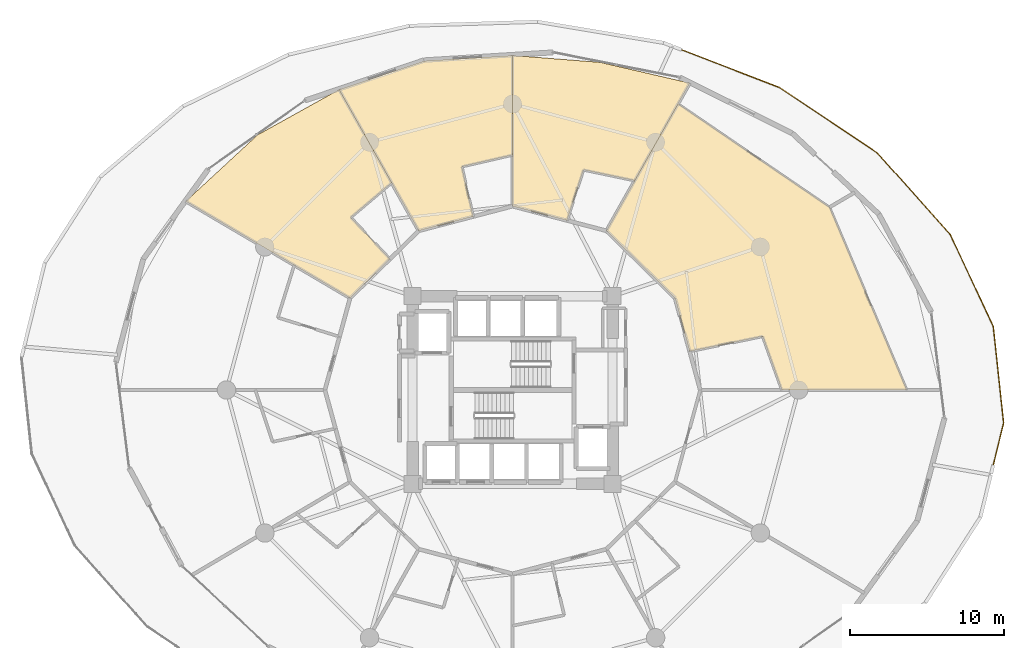
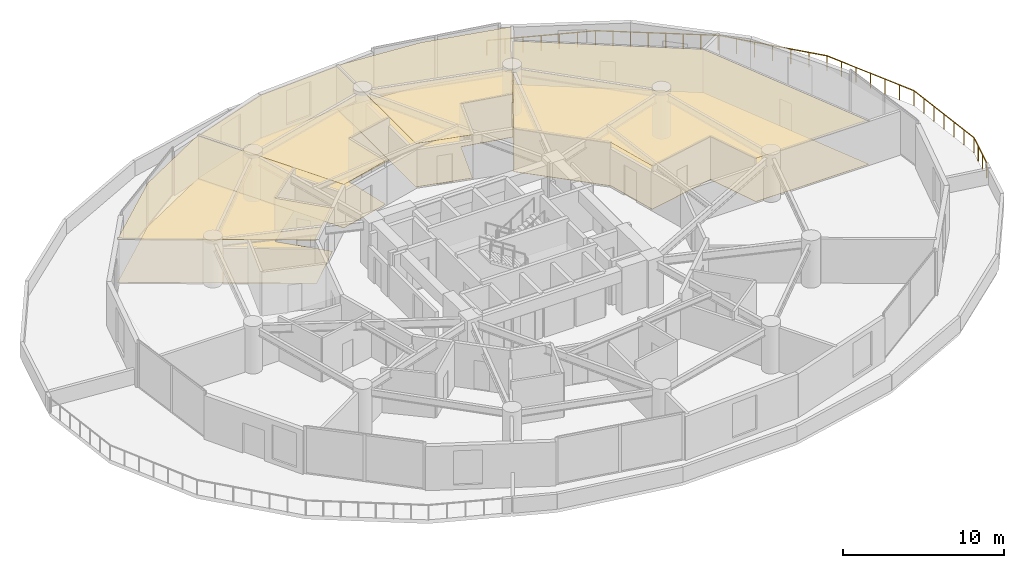
# One storey, part 25 of 25: 8 coverings, 1 railing.
"""IFC4 building model written with IfcOpenShell, lengths in metres."""

import ifcopenshell
import ifcopenshell.guid

model = None  # the IFC model being written
_history = None  # IfcOwnerHistory: only IFC2X3 demands one
_inside = {}  # id of a spatial element -> (the spatial element, [elements in it])
_under = {}  # id of a project, library or spatial element -> (it, [spatial elements below it])
_declared = {}  # id of a project -> (the project, [libraries it declares])
_typed = {}  # id of a type object -> (the type object, [elements of that type])
_made_of = {}  # id of a material, layer set ... -> (it, [elements and type objects made of it])


def new_model(schema):
    """Start an empty IFC model of exactly this schema.

    Asked for "IFC4X3", IfcOpenShell would pick the latest addendum, in which some entities
    have other attributes; the version numbers below select the first issue.
    IFC2X3 requires an IfcOwnerHistory on every rooted entity: one is made here for all.
    """
    global model, _history
    if schema == "IFC4X3":
        model = ifcopenshell.file(schema_version=(4, 3, 0, 0))
    else:
        model = ifcopenshell.file(schema=schema)
    _inside.clear()
    _under.clear()
    _declared.clear()
    _typed.clear()
    _made_of.clear()
    _history = None
    if model.schema == "IFC2X3":
        org = make("IfcOrganization", Name="unknown")
        user = make(
            "IfcPersonAndOrganization",
            ThePerson=make("IfcPerson", FamilyName="unknown"),
            TheOrganization=org,
        )
        app = make(
            "IfcApplication",
            ApplicationDeveloper=org,
            Version="unknown",
            ApplicationFullName="unknown",
            ApplicationIdentifier="unknown",
        )
        _history = make(
            "IfcOwnerHistory",
            OwningUser=user,
            OwningApplication=app,
            ChangeAction="ADDED",
            CreationDate=0,
        )
    return model


def make(cls, **values):
    """One entity of the class cls with the attributes given. An attribute that is None is left unset."""
    return model.create_entity(
        cls, **{name: value for name, value in values.items() if value is not None}
    )


def rooted(cls, **values):
    """An entity with a GlobalId (a new one), such as an element, a storey or a relation."""
    return make(cls, GlobalId=ifcopenshell.guid.new(), OwnerHistory=_history, **values)


def si_unit(unit_type, name, prefix=None):
    """IfcSIUnit, for example si_unit("LENGTHUNIT", "METRE", prefix="MILLI")."""
    return make("IfcSIUnit", UnitType=unit_type, Prefix=prefix, Name=name)


def assignment(units):
    """IfcUnitAssignment: the units of a project."""
    return None if units is None else make("IfcUnitAssignment", Units=units)


def point(xyz):
    """IfcCartesianPoint."""
    return None if xyz is None else make("IfcCartesianPoint", Coordinates=xyz)


def direction(xyz):
    """IfcDirection."""
    return None if xyz is None else make("IfcDirection", DirectionRatios=xyz)


def frame(location, z_axis=None, x_axis=None):
    """IfcAxis2Placement3D, a coordinate frame: its origin and axes. An axis left out is left unset."""
    return make(
        "IfcAxis2Placement3D",
        Location=point(location),
        Axis=direction(z_axis),
        RefDirection=direction(x_axis),
    )


def frame_2d(location, x_axis=None):
    """IfcAxis2Placement2D, a coordinate frame in the plane: its origin and x axis."""
    return make(
        "IfcAxis2Placement2D", Location=point(location), RefDirection=direction(x_axis)
    )


def origin():
    """The frame at (0, 0, 0) with its axes left unset."""
    return frame((0.0, 0.0, 0.0))


def origin_2d():
    """The frame at (0, 0) in the plane with its x axis left unset."""
    return frame_2d((0.0, 0.0))


def place(relative_to, where):
    """IfcLocalPlacement: puts the frame where relative to a parent placement (None: the world)."""
    return make(
        "IfcLocalPlacement", PlacementRelTo=relative_to, RelativePlacement=where
    )


def context(
    kind, dimensions, precision=None, world=None, true_north=None, identifier=None
):
    """IfcGeometricRepresentationContext, for example the 3D "Model" context."""
    return make(
        "IfcGeometricRepresentationContext",
        ContextIdentifier=identifier,
        ContextType=kind,
        CoordinateSpaceDimension=dimensions,
        Precision=precision,
        WorldCoordinateSystem=world,
        TrueNorth=true_north,
    )


def subcontext(parent, identifier, kind, view, scale=None):
    """IfcGeometricRepresentationSubContext, for example "Body" below "Model"."""
    return make(
        "IfcGeometricRepresentationSubContext",
        ContextIdentifier=identifier,
        ContextType=kind,
        ParentContext=parent,
        TargetScale=scale,
        TargetView=view,
    )


def project(units=None, contexts=None):
    """IfcProject with its units and contexts."""
    return rooted(
        "IfcProject",
        Name="project",
        RepresentationContexts=contexts,
        UnitsInContext=assignment(units),
    )


def spatial(cls, under=None, at=None, **own):
    """A site, building, storey or space (cls), placed at a placement, below another one or the project."""
    s = rooted(cls, ObjectPlacement=at, **own)
    if under is not None:
        _under.setdefault(under.id(), (under, []))[1].append(s)
    return s


def polyline(points):
    """IfcPolyline through the points."""
    return make("IfcPolyline", Points=[point(p) for p in points])


def profile(cls, at=None, kind="AREA", **sizes):
    """A parametric profile (cls). Its sizes go by their IFC names, for example OverallWidth=200.0."""
    return make(cls, ProfileType=kind, Position=at, **sizes)


def circle(**sizes):
    """IfcCircleProfileDef."""
    return profile("IfcCircleProfileDef", **sizes)


def outline(outer, holes=None, kind="AREA"):
    """IfcArbitraryClosedProfileDef: a profile drawn as a closed curve; with holes, ...WithVoids."""
    if holes is None:
        return make("IfcArbitraryClosedProfileDef", ProfileType=kind, OuterCurve=outer)
    return make(
        "IfcArbitraryProfileDefWithVoids",
        ProfileType=kind,
        OuterCurve=outer,
        InnerCurves=holes,
    )


def extrude(swept, where, along, depth):
    """IfcExtrudedAreaSolid: the profile swept, set in the frame where, extruded along a direction by depth."""
    return make(
        "IfcExtrudedAreaSolid",
        SweptArea=swept,
        Position=where,
        ExtrudedDirection=direction(along),
        Depth=depth,
    )


def shape(context_of_items, identifier, shape_type, items):
    """IfcShapeRepresentation: the items that make up one representation, for example the "Body"."""
    return make(
        "IfcShapeRepresentation",
        ContextOfItems=context_of_items,
        RepresentationIdentifier=identifier,
        RepresentationType=shape_type,
        Items=items,
    )


def material(Name=None, Category=None):
    """IfcMaterial."""
    return make("IfcMaterial", Name=Name, Category=Category)


def layer(
    of_material, thickness, ventilated=None, Name=None, Category=None, Priority=None
):
    """IfcMaterialLayer: one layer of a wall or slab, of a material (None: an air gap)."""
    return make(
        "IfcMaterialLayer",
        Material=of_material,
        LayerThickness=thickness,
        IsVentilated=ventilated,
        Name=Name,
        Category=Category,
        Priority=Priority,
    )


def layer_set(layers, Name=None):
    """IfcMaterialLayerSet."""
    return make("IfcMaterialLayerSet", MaterialLayers=layers, LayerSetName=Name)


def made_of(thing, what):
    """Note that an element or type object is made of a material, layer set ...; save() writes the relation."""
    if what is not None:
        _made_of.setdefault(what.id(), (what, []))[1].append(thing)
    return thing


def type_object(cls, material=None, **own):
    """A type object (cls), such as IfcWallType, which elements share."""
    return made_of(rooted(cls, **own), material)


def element(
    cls,
    number,
    at=None,
    inside=None,
    cuts=None,
    type_object=None,
    material=None,
    context=None,
    identifier="Body",
    shape_type=None,
    held_by="IfcProductDefinitionShape",
    body=None,
    shapes=None,
    **own,
):
    """One element of the class cls, such as IfcWall. Its Tag is "e" and its number.

    at: its placement. inside: the storey or other place that contains it. cuts: it is an
    opening in that element (IfcRelVoidsElement). A single representation is given by context,
    identifier, shape_type and body (its items); several are given by shapes. held_by: the class
    of the entity that holds the representations. save() writes the other relations.
    """
    e = rooted(cls, Tag="e%d" % number, ObjectPlacement=at, **own)
    if body is not None:
        shapes = [shape(context, identifier, shape_type, body)]
    if shapes is not None:
        e.Representation = make(held_by, Representations=shapes)
    if inside is not None:
        _inside.setdefault(inside.id(), (inside, []))[1].append(e)
    if cuts is not None:
        rooted(
            "IfcRelVoidsElement", RelatingBuildingElement=cuts, RelatedOpeningElement=e
        )
    if type_object is not None:
        _typed.setdefault(type_object.id(), (type_object, []))[1].append(e)
    return made_of(e, material)


def aggregate(whole, parts):
    """IfcRelAggregates: a whole, such as a stair, and the parts it consists of."""
    return rooted("IfcRelAggregates", RelatingObject=whole, RelatedObjects=parts)


def save(model, path):
    """Write the relations noted so far, then the file.

    IfcRelAggregates (storeys below a building ...), IfcRelContainedInSpatialStructure (elements
    in a storey), IfcRelDefinesByType, IfcRelAssociatesMaterial and IfcRelDeclares: one each for
    every whole, place, type object, material and project.
    """
    for whole, parts in _under.values():
        aggregate(whole, parts)
    for where, things in _inside.values():
        rooted(
            "IfcRelContainedInSpatialStructure",
            RelatedElements=things,
            RelatingStructure=where,
        )
    for kind, things in _typed.values():
        rooted("IfcRelDefinesByType", RelatedObjects=things, RelatingType=kind)
    for what, things in _made_of.values():
        rooted("IfcRelAssociatesMaterial", RelatedObjects=things, RelatingMaterial=what)
    for by, libraries in _declared.values():
        rooted("IfcRelDeclares", RelatingContext=by, RelatedDefinitions=libraries)
    model.write(path)


model = new_model("IFC4")

# Units and contexts
model_context = context("Model", 3, precision=1e-05, world=origin(), true_north=direction((0.0, 1.0)))
body_context = subcontext(model_context, "Body", "Model", "MODEL_VIEW")
ifc_project = project(units=[si_unit("LENGTHUNIT", "METRE"), si_unit("AREAUNIT", "SQUARE_METRE"), si_unit("VOLUMEUNIT", "CUBIC_METRE"), si_unit("PLANEANGLEUNIT", "RADIAN"), si_unit("MASSUNIT", "GRAM", prefix="KILO")], contexts=[model_context])

# Site, building, storey
site_placement = place(None, origin())
site = spatial("IfcSite", under=ifc_project, at=site_placement, CompositionType="ELEMENT")
building_placement = place(site_placement, origin())
building = spatial("IfcBuilding", under=site, at=building_placement, Name="Solvirekh Grand Hotel", CompositionType="ELEMENT")
storey_placement = place(building_placement, frame((0.0, 0.0, 28.39990234375)))
storey = spatial("IfcBuildingStorey", under=building, at=storey_placement, Name="L05", CompositionType="ELEMENT", Elevation=28.39990234375)

# Coverings
ifc_material_1 = material(Name="Acoustic Mineral Ceiling Tile")
ifc_layer_1 = layer(ifc_material_1, 0.02490234375)
ifc_layer_set_1 = layer_set([ifc_layer_1], Name="Acoustic Mineral Ceiling Tile")
covering_type_1 = type_object("IfcCoveringType", Name="Cov_Ceiling_Acoustic", PredefinedType="CEILING", material=ifc_layer_set_1)
covering_1_placement = place(storey_placement, frame((0.0, 0.0, 3.2900390625)))
element("IfcCovering", 1, at=covering_1_placement, inside=storey, type_object=covering_type_1, Name="L05 Executive Suite 0701 Living Room acoustic ceiling", PredefinedType="CEILING", context=body_context, shape_type="SweptSolid", body=[
    extrude(outline(polyline([(16.262939453125, 3.489990234375), (17.510986328125, 0.0), (25.635009765625, 0.0), (20.613037109375, 11.883056640625), (10.760986328125, 18.60888671875), (6.10009765625, 10.34912109375), (10.56591796875, 5.97509765625), (11.513916015625, 2.509033203125), (16.262939453125, 3.489990234375)])), origin(), (0.0, 0.0, 1.0), 0.01806640625),
])
covering_2_placement = place(storey_placement, frame((0.0, 0.0, 3.2900390625)))
element("IfcCovering", 2, at=covering_2_placement, inside=storey, type_object=covering_type_1, Name="L05 Deluxe Guestroom 0702 acoustic ceiling", PredefinedType="CEILING", context=body_context, shape_type="SweptSolid", body=[
    extrude(outline(polyline([(4.60693359375, 14.31494140625), (7.943115234375, 13.614990234375), (11.52001953125, 19.9541015625), (5.70703125, 21.300048828125), (0.0, 21.75), (0.0, 11.949951171875), (3.5380859375, 11.02099609375), (4.60693359375, 14.31494140625)])), origin(), (0.0, 0.0, 1.0), 0.01806640625),
])
covering_3_placement = place(storey_placement, frame((0.0, 0.0, 3.2900390625)))
element("IfcCovering", 3, at=covering_3_placement, inside=storey, type_object=covering_type_1, Name="L05 Deluxe Guestroom 0703 acoustic ceiling", PredefinedType="CEILING", context=body_context, shape_type="SweptSolid", body=[
    extrude(outline(polyline([(-3.301025390625, 14.52197265625), (0.0, 15.281982421875), (0.0, 21.75), (-5.73388671875, 21.39794921875), (-11.27587890625, 19.530029296875), (-6.10009765625, 10.34912109375), (-2.56201171875, 11.278076171875), (-3.301025390625, 14.52197265625)])), origin(), (0.0, 0.0, 1.0), 0.01806640625),
])
covering_4_placement = place(storey_placement, frame((0.0, 0.0, 3.2900390625)))
element("IfcCovering", 4, at=covering_4_placement, inside=storey, type_object=covering_type_1, Name="L05 Deluxe Guestroom 0704 acoustic ceiling", PredefinedType="CEILING", context=body_context, shape_type="SweptSolid", body=[
    extrude(outline(polyline([(-10.52197265625, 11.220947265625), (-7.860107421875, 13.470947265625), (-11.27587890625, 19.530029296875), (-16.58203125, 16.58203125), (-21.24609375, 12.26611328125), (-10.56591796875, 5.97509765625), (-7.97607421875, 8.511962890625), (-10.52197265625, 11.220947265625)])), origin(), (0.0, 0.0, 1.0), 0.01806640625),
])
ifc_material_2 = material(Name="Porcelain Stoneware Flooring", Category="masonry")
ifc_layer_2 = layer(ifc_material_2, 0.030029296875)
ifc_layer_set_2 = layer_set([ifc_layer_2], Name="Porcelain Stoneware Flooring")
covering_type_2 = type_object("IfcCoveringType", Name="Cov_Floor_Stone", PredefinedType="FLOORING", material=ifc_layer_set_2)
covering_5_placement = place(storey_placement, origin())
element("IfcCovering", 5, at=covering_5_placement, inside=storey, type_object=covering_type_2, Name="L05 Executive Suite 0701 Living Room polished granite flooring", PredefinedType="FLOORING", context=body_context, shape_type="SweptSolid", body=[
    extrude(outline(polyline([(16.262939453125, 3.489990234375), (17.510986328125, 0.0), (25.635009765625, 0.0), (20.613037109375, 11.883056640625), (10.760986328125, 18.60888671875), (6.10009765625, 10.34912109375), (10.56591796875, 5.97509765625), (11.513916015625, 2.509033203125), (16.262939453125, 3.489990234375)])), origin(), (0.0, 0.0, 1.0), 0.02001953125),
])
covering_6_placement = place(storey_placement, origin())
element("IfcCovering", 6, at=covering_6_placement, inside=storey, type_object=covering_type_2, Name="L05 Deluxe Guestroom 0702 polished granite flooring", PredefinedType="FLOORING", context=body_context, shape_type="SweptSolid", body=[
    extrude(outline(polyline([(4.60693359375, 14.31494140625), (7.943115234375, 13.614990234375), (11.52001953125, 19.9541015625), (5.70703125, 21.300048828125), (0.0, 21.75), (0.0, 11.949951171875), (3.5380859375, 11.02099609375), (4.60693359375, 14.31494140625)])), origin(), (0.0, 0.0, 1.0), 0.02001953125),
])
covering_7_placement = place(storey_placement, origin())
element("IfcCovering", 7, at=covering_7_placement, inside=storey, type_object=covering_type_2, Name="L05 Deluxe Guestroom 0703 polished granite flooring", PredefinedType="FLOORING", context=body_context, shape_type="SweptSolid", body=[
    extrude(outline(polyline([(-3.301025390625, 14.52197265625), (0.0, 15.281982421875), (0.0, 21.75), (-5.73388671875, 21.39794921875), (-11.27587890625, 19.530029296875), (-6.10009765625, 10.34912109375), (-2.56201171875, 11.278076171875), (-3.301025390625, 14.52197265625)])), origin(), (0.0, 0.0, 1.0), 0.02001953125),
])
covering_8_placement = place(storey_placement, origin())
element("IfcCovering", 8, at=covering_8_placement, inside=storey, type_object=covering_type_2, Name="L05 Deluxe Guestroom 0704 polished granite flooring", PredefinedType="FLOORING", context=body_context, shape_type="SweptSolid", body=[
    extrude(outline(polyline([(-10.52197265625, 11.220947265625), (-7.860107421875, 13.470947265625), (-11.27587890625, 19.530029296875), (-16.58203125, 16.58203125), (-21.24609375, 12.26611328125), (-10.56591796875, 5.97509765625), (-7.97607421875, 8.511962890625), (-10.52197265625, 11.220947265625)])), origin(), (0.0, 0.0, 1.0), 0.02001953125),
])

# Railing
ifc_material_3 = material(Name="Anodized Bronze Aluminium 6063-T6", Category="aluminium")
railing_type = type_object("IfcRailingType", Name="Guard_ExtGlass_1150", PredefinedType="BALUSTRADE", material=ifc_material_3)
railing_placement = place(storey_placement, frame((31.248046875, -4.912109375, 0.0)))
element("IfcRailing", 9, at=railing_placement, inside=storey, type_object=railing_type, Name="L05 pod-east perimeter glass balustrade", PredefinedType="BALUSTRADE", context=body_context, shape_type="SweptSolid", body=[
    extrude(circle(Radius=0.02392578125, at=origin_2d()), frame((0.0, 0.0, 1.1259765625), z_axis=(0.238463816019, 0.97115138287, 0.0), x_axis=(-0.97115138287, 0.238463816019, 0.0)), (0.0, 0.0, 1.0), 2.851318359375),
    extrude(circle(Radius=0.02392578125, at=origin_2d()), frame((0.679931640625, 2.76904296875, 1.1259765625), z_axis=(-0.106530390003, 0.994309446805, 0.0), x_axis=(-0.994309446805, -0.106530390003, 0.0)), (0.0, 0.0, 1.0), 6.306884765625),
    extrude(circle(Radius=0.02392578125, at=origin_2d()), frame((0.008056640625, 9.0400390625, 1.1259765625), z_axis=(-0.423770618135, 0.905769541995, 0.0), x_axis=(-0.905769541995, -0.423770618135, 0.0)), (0.0, 0.0, 1.0), 6.612060546875),
    extrude(circle(Radius=0.02392578125, at=origin_2d()), frame((-2.7939453125, 15.029052734375, 1.1259765625), z_axis=(-0.666721597684, 0.745306857061, 0.0), x_axis=(-0.745306857061, -0.666721597684, 0.0)), (0.0, 0.0, 1.0), 7.111328125),
    extrude(circle(Radius=0.02392578125, at=origin_2d()), frame((-7.53515625, 20.3291015625, 1.1259765625), z_axis=(-0.831381626456, 0.555701890577, 0.0), x_axis=(-0.555701890577, -0.831381626456, 0.0)), (0.0, 0.0, 1.0), 7.646240234375),
    extrude(circle(Radius=0.02392578125, at=origin_2d()), frame((-13.89208984375, 24.578125, 1.1259765625), z_axis=(-0.932925862142, 0.360068515349, 0.0), x_axis=(-0.360068515349, -0.932925862142, 0.0)), (0.0, 0.0, 1.0), 6.84619140625),
    extrude(circle(Radius=0.02099609375, at=origin_2d()), origin(), (0.0, 0.0, 1.0), 1.101806640625),
    extrude(circle(Radius=0.02099609375, at=origin_2d()), frame((0.2265625, 0.923095703125, 0.0)), (0.0, 0.0, 1.0), 1.101806640625),
    extrude(circle(Radius=0.02099609375, at=origin_2d()), frame((0.453369140625, 1.845947265625, 0.0)), (0.0, 0.0, 1.0), 1.101806640625),
    extrude(circle(Radius=0.02099609375, at=origin_2d()), frame((0.679931640625, 2.76904296875, 0.0)), (0.0, 0.0, 1.0), 1.101806640625),
    extrude(circle(Radius=0.02099609375, at=origin_2d()), frame((0.56787109375, 3.814208984375, 0.0)), (0.0, 0.0, 1.0), 1.101806640625),
    extrude(circle(Radius=0.02099609375, at=origin_2d()), frame((0.4560546875, 4.859375, 0.0)), (0.0, 0.0, 1.0), 1.101806640625),
    extrude(circle(Radius=0.02099609375, at=origin_2d()), frame((0.343994140625, 5.904541015625, 0.0)), (0.0, 0.0, 1.0), 1.101806640625),
    extrude(circle(Radius=0.02099609375, at=origin_2d()), frame((0.23193359375, 6.94970703125, 0.0)), (0.0, 0.0, 1.0), 1.101806640625),
    extrude(circle(Radius=0.02099609375, at=origin_2d()), frame((0.1201171875, 7.994873046875, 0.0)), (0.0, 0.0, 1.0), 1.101806640625),
    extrude(circle(Radius=0.02099609375, at=origin_2d()), frame((0.008056640625, 9.0400390625, 0.0)), (0.0, 0.0, 1.0), 1.101806640625),
    extrude(circle(Radius=0.02099609375, at=origin_2d()), frame((-0.458984375, 10.0380859375, 0.0)), (0.0, 0.0, 1.0), 1.101806640625),
    extrude(circle(Radius=0.02099609375, at=origin_2d()), frame((-0.926025390625, 11.036376953125, 0.0)), (0.0, 0.0, 1.0), 1.101806640625),
    extrude(circle(Radius=0.02099609375, at=origin_2d()), frame((-1.39306640625, 12.03466796875, 0.0)), (0.0, 0.0, 1.0), 1.101806640625),
    extrude(circle(Radius=0.02099609375, at=origin_2d()), frame((-1.85986328125, 13.03271484375, 0.0)), (0.0, 0.0, 1.0), 1.101806640625),
    extrude(circle(Radius=0.02099609375, at=origin_2d()), frame((-2.326904296875, 14.03076171875, 0.0)), (0.0, 0.0, 1.0), 1.101806640625),
    extrude(circle(Radius=0.02099609375, at=origin_2d()), frame((-2.7939453125, 15.029052734375, 0.0)), (0.0, 0.0, 1.0), 1.101806640625),
    extrude(circle(Radius=0.02099609375, at=origin_2d()), frame((-3.584228515625, 15.912353515625, 0.0)), (0.0, 0.0, 1.0), 1.101806640625),
    extrude(circle(Radius=0.02099609375, at=origin_2d()), frame((-4.374267578125, 16.795654296875, 0.0)), (0.0, 0.0, 1.0), 1.101806640625),
    extrude(circle(Radius=0.02099609375, at=origin_2d()), frame((-5.16455078125, 17.67919921875, 0.0)), (0.0, 0.0, 1.0), 1.101806640625),
    extrude(circle(Radius=0.02099609375, at=origin_2d()), frame((-5.954833984375, 18.5625, 0.0)), (0.0, 0.0, 1.0), 1.101806640625),
    extrude(circle(Radius=0.02099609375, at=origin_2d()), frame((-6.744873046875, 19.44580078125, 0.0)), (0.0, 0.0, 1.0), 1.101806640625),
    extrude(circle(Radius=0.02099609375, at=origin_2d()), frame((-7.53515625, 20.3291015625, 0.0)), (0.0, 0.0, 1.0), 1.101806640625),
    extrude(circle(Radius=0.02099609375, at=origin_2d()), frame((-8.443359375, 20.93603515625, 0.0)), (0.0, 0.0, 1.0), 1.101806640625),
    extrude(circle(Radius=0.02099609375, at=origin_2d()), frame((-9.351318359375, 21.543212890625, 0.0)), (0.0, 0.0, 1.0), 1.101806640625),
    extrude(circle(Radius=0.02099609375, at=origin_2d()), frame((-10.259521484375, 22.150146484375, 0.0)), (0.0, 0.0, 1.0), 1.101806640625),
    extrude(circle(Radius=0.02099609375, at=origin_2d()), frame((-11.167724609375, 22.757080078125, 0.0)), (0.0, 0.0, 1.0), 1.101806640625),
    extrude(circle(Radius=0.02099609375, at=origin_2d()), frame((-12.075927734375, 23.364013671875, 0.0)), (0.0, 0.0, 1.0), 1.101806640625),
    extrude(circle(Radius=0.02099609375, at=origin_2d()), frame((-12.98388671875, 23.97119140625, 0.0)), (0.0, 0.0, 1.0), 1.101806640625),
    extrude(circle(Radius=0.02099609375, at=origin_2d()), frame((-13.89208984375, 24.578125, 0.0)), (0.0, 0.0, 1.0), 1.101806640625),
    extrude(circle(Radius=0.02099609375, at=origin_2d()), frame((-14.95654296875, 24.989013671875, 0.0)), (0.0, 0.0, 1.0), 1.101806640625),
    extrude(circle(Radius=0.02099609375, at=origin_2d()), frame((-16.02099609375, 25.39990234375, 0.0)), (0.0, 0.0, 1.0), 1.101806640625),
    extrude(circle(Radius=0.02099609375, at=origin_2d()), frame((-17.08544921875, 25.810546875, 0.0)), (0.0, 0.0, 1.0), 1.101806640625),
    extrude(circle(Radius=0.02099609375, at=origin_2d()), frame((-18.150146484375, 26.221435546875, 0.0)), (0.0, 0.0, 1.0), 1.101806640625),
    extrude(circle(Radius=0.02099609375, at=origin_2d()), frame((-19.214599609375, 26.63232421875, 0.0)), (0.0, 0.0, 1.0), 1.101806640625),
    extrude(circle(Radius=0.02099609375, at=origin_2d()), frame((-20.279052734375, 27.043212890625, 0.0)), (0.0, 0.0, 1.0), 1.101806640625),
])

save(model, "model.ifc")
